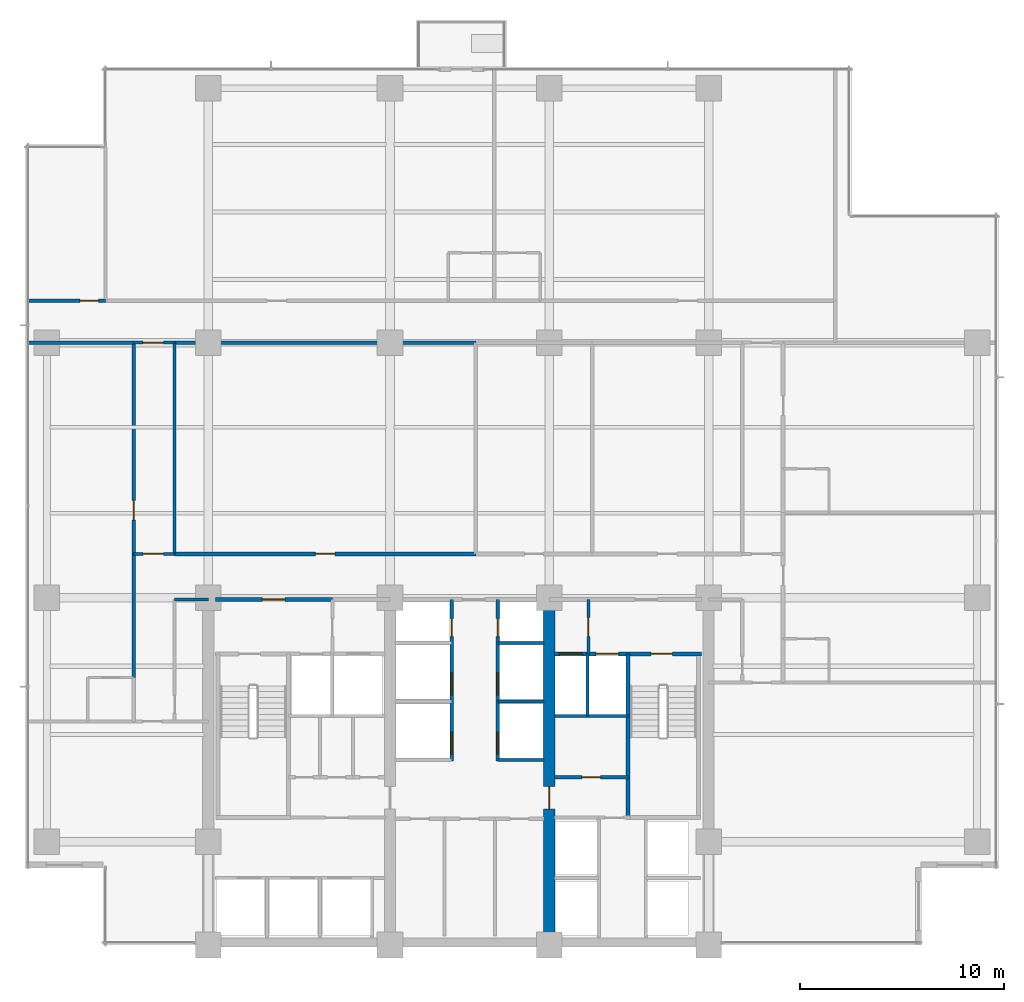
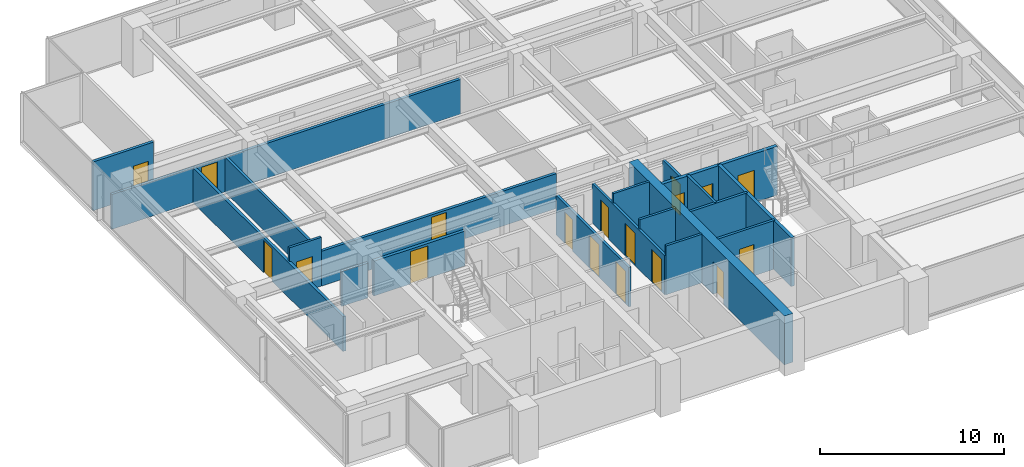
# One storey, part 9 of 16: 22 walls, 18 doors, 18 openings.
"""IFC4 building model written with IfcOpenShell, lengths in metres."""

import ifcopenshell
import ifcopenshell.guid

model = None  # the IFC model being written
_history = None  # IfcOwnerHistory: only IFC2X3 demands one
_inside = {}  # id of a spatial element -> (the spatial element, [elements in it])
_under = {}  # id of a project, library or spatial element -> (it, [spatial elements below it])
_declared = {}  # id of a project -> (the project, [libraries it declares])
_typed = {}  # id of a type object -> (the type object, [elements of that type])
_made_of = {}  # id of a material, layer set ... -> (it, [elements and type objects made of it])


def new_model(schema):
    """Start an empty IFC model of exactly this schema.

    Asked for "IFC4X3", IfcOpenShell would pick the latest addendum, in which some entities
    have other attributes; the version numbers below select the first issue.
    IFC2X3 requires an IfcOwnerHistory on every rooted entity: one is made here for all.
    """
    global model, _history
    if schema == "IFC4X3":
        model = ifcopenshell.file(schema_version=(4, 3, 0, 0))
    else:
        model = ifcopenshell.file(schema=schema)
    _inside.clear()
    _under.clear()
    _declared.clear()
    _typed.clear()
    _made_of.clear()
    _history = None
    if model.schema == "IFC2X3":
        org = make("IfcOrganization", Name="unknown")
        user = make(
            "IfcPersonAndOrganization",
            ThePerson=make("IfcPerson", FamilyName="unknown"),
            TheOrganization=org,
        )
        app = make(
            "IfcApplication",
            ApplicationDeveloper=org,
            Version="unknown",
            ApplicationFullName="unknown",
            ApplicationIdentifier="unknown",
        )
        _history = make(
            "IfcOwnerHistory",
            OwningUser=user,
            OwningApplication=app,
            ChangeAction="ADDED",
            CreationDate=0,
        )
    return model


def make(cls, **values):
    """One entity of the class cls with the attributes given. An attribute that is None is left unset."""
    return model.create_entity(
        cls, **{name: value for name, value in values.items() if value is not None}
    )


def rooted(cls, **values):
    """An entity with a GlobalId (a new one), such as an element, a storey or a relation."""
    return make(cls, GlobalId=ifcopenshell.guid.new(), OwnerHistory=_history, **values)


def si_unit(unit_type, name, prefix=None):
    """IfcSIUnit, for example si_unit("LENGTHUNIT", "METRE", prefix="MILLI")."""
    return make("IfcSIUnit", UnitType=unit_type, Prefix=prefix, Name=name)


def assignment(units):
    """IfcUnitAssignment: the units of a project."""
    return None if units is None else make("IfcUnitAssignment", Units=units)


def point(xyz):
    """IfcCartesianPoint."""
    return None if xyz is None else make("IfcCartesianPoint", Coordinates=xyz)


def direction(xyz):
    """IfcDirection."""
    return None if xyz is None else make("IfcDirection", DirectionRatios=xyz)


def frame(location, z_axis=None, x_axis=None):
    """IfcAxis2Placement3D, a coordinate frame: its origin and axes. An axis left out is left unset."""
    return make(
        "IfcAxis2Placement3D",
        Location=point(location),
        Axis=direction(z_axis),
        RefDirection=direction(x_axis),
    )


def frame_2d(location, x_axis=None):
    """IfcAxis2Placement2D, a coordinate frame in the plane: its origin and x axis."""
    return make(
        "IfcAxis2Placement2D", Location=point(location), RefDirection=direction(x_axis)
    )


def origin():
    """The frame at (0, 0, 0) with its axes left unset."""
    return frame((0.0, 0.0, 0.0))


def place(relative_to, where):
    """IfcLocalPlacement: puts the frame where relative to a parent placement (None: the world)."""
    return make(
        "IfcLocalPlacement", PlacementRelTo=relative_to, RelativePlacement=where
    )


def context(
    kind, dimensions, precision=None, world=None, true_north=None, identifier=None
):
    """IfcGeometricRepresentationContext, for example the 3D "Model" context."""
    return make(
        "IfcGeometricRepresentationContext",
        ContextIdentifier=identifier,
        ContextType=kind,
        CoordinateSpaceDimension=dimensions,
        Precision=precision,
        WorldCoordinateSystem=world,
        TrueNorth=true_north,
    )


def subcontext(parent, identifier, kind, view, scale=None):
    """IfcGeometricRepresentationSubContext, for example "Body" below "Model"."""
    return make(
        "IfcGeometricRepresentationSubContext",
        ContextIdentifier=identifier,
        ContextType=kind,
        ParentContext=parent,
        TargetScale=scale,
        TargetView=view,
    )


def project(units=None, contexts=None):
    """IfcProject with its units and contexts."""
    return rooted(
        "IfcProject",
        Name="project",
        RepresentationContexts=contexts,
        UnitsInContext=assignment(units),
    )


def spatial(cls, under=None, at=None, **own):
    """A site, building, storey or space (cls), placed at a placement, below another one or the project."""
    s = rooted(cls, ObjectPlacement=at, **own)
    if under is not None:
        _under.setdefault(under.id(), (under, []))[1].append(s)
    return s


def profile(cls, at=None, kind="AREA", **sizes):
    """A parametric profile (cls). Its sizes go by their IFC names, for example OverallWidth=200.0."""
    return make(cls, ProfileType=kind, Position=at, **sizes)


def rectangle(**sizes):
    """IfcRectangleProfileDef."""
    return profile("IfcRectangleProfileDef", **sizes)


def extrude(swept, where, along, depth):
    """IfcExtrudedAreaSolid: the profile swept, set in the frame where, extruded along a direction by depth."""
    return make(
        "IfcExtrudedAreaSolid",
        SweptArea=swept,
        Position=where,
        ExtrudedDirection=direction(along),
        Depth=depth,
    )


def shape(context_of_items, identifier, shape_type, items):
    """IfcShapeRepresentation: the items that make up one representation, for example the "Body"."""
    return make(
        "IfcShapeRepresentation",
        ContextOfItems=context_of_items,
        RepresentationIdentifier=identifier,
        RepresentationType=shape_type,
        Items=items,
    )


def material(Name=None, Category=None):
    """IfcMaterial."""
    return make("IfcMaterial", Name=Name, Category=Category)


def layer(
    of_material, thickness, ventilated=None, Name=None, Category=None, Priority=None
):
    """IfcMaterialLayer: one layer of a wall or slab, of a material (None: an air gap)."""
    return make(
        "IfcMaterialLayer",
        Material=of_material,
        LayerThickness=thickness,
        IsVentilated=ventilated,
        Name=Name,
        Category=Category,
        Priority=Priority,
    )


def layer_set(layers, Name=None):
    """IfcMaterialLayerSet."""
    return make("IfcMaterialLayerSet", MaterialLayers=layers, LayerSetName=Name)


def made_of(thing, what):
    """Note that an element or type object is made of a material, layer set ...; save() writes the relation."""
    if what is not None:
        _made_of.setdefault(what.id(), (what, []))[1].append(thing)
    return thing


def type_object(cls, material=None, **own):
    """A type object (cls), such as IfcWallType, which elements share."""
    return made_of(rooted(cls, **own), material)


def element(
    cls,
    number,
    at=None,
    inside=None,
    cuts=None,
    type_object=None,
    material=None,
    context=None,
    identifier="Body",
    shape_type=None,
    held_by="IfcProductDefinitionShape",
    body=None,
    shapes=None,
    **own,
):
    """One element of the class cls, such as IfcWall. Its Tag is "e" and its number.

    at: its placement. inside: the storey or other place that contains it. cuts: it is an
    opening in that element (IfcRelVoidsElement). A single representation is given by context,
    identifier, shape_type and body (its items); several are given by shapes. held_by: the class
    of the entity that holds the representations. save() writes the other relations.
    """
    e = rooted(cls, Tag="e%d" % number, ObjectPlacement=at, **own)
    if body is not None:
        shapes = [shape(context, identifier, shape_type, body)]
    if shapes is not None:
        e.Representation = make(held_by, Representations=shapes)
    if inside is not None:
        _inside.setdefault(inside.id(), (inside, []))[1].append(e)
    if cuts is not None:
        rooted(
            "IfcRelVoidsElement", RelatingBuildingElement=cuts, RelatedOpeningElement=e
        )
    if type_object is not None:
        _typed.setdefault(type_object.id(), (type_object, []))[1].append(e)
    return made_of(e, material)


def fill(opening, filler):
    """IfcRelFillsElement: the door or window that sits in an opening."""
    return rooted(
        "IfcRelFillsElement",
        RelatingOpeningElement=opening,
        RelatedBuildingElement=filler,
    )


def aggregate(whole, parts):
    """IfcRelAggregates: a whole, such as a stair, and the parts it consists of."""
    return rooted("IfcRelAggregates", RelatingObject=whole, RelatedObjects=parts)


def save(model, path):
    """Write the relations noted so far, then the file.

    IfcRelAggregates (storeys below a building ...), IfcRelContainedInSpatialStructure (elements
    in a storey), IfcRelDefinesByType, IfcRelAssociatesMaterial and IfcRelDeclares: one each for
    every whole, place, type object, material and project.
    """
    for whole, parts in _under.values():
        aggregate(whole, parts)
    for where, things in _inside.values():
        rooted(
            "IfcRelContainedInSpatialStructure",
            RelatedElements=things,
            RelatingStructure=where,
        )
    for kind, things in _typed.values():
        rooted("IfcRelDefinesByType", RelatedObjects=things, RelatingType=kind)
    for what, things in _made_of.values():
        rooted("IfcRelAssociatesMaterial", RelatedObjects=things, RelatingMaterial=what)
    for by, libraries in _declared.values():
        rooted("IfcRelDeclares", RelatingContext=by, RelatedDefinitions=libraries)
    model.write(path)


model = new_model("IFC4")

# Units and contexts
model_context = context("Model", 3, precision=1e-05, world=origin(), true_north=direction((0.0, 1.0)))
body_context = subcontext(model_context, "Body", "Model", "MODEL_VIEW")
ifc_project = project(units=[si_unit("LENGTHUNIT", "METRE"), si_unit("AREAUNIT", "SQUARE_METRE"), si_unit("VOLUMEUNIT", "CUBIC_METRE"), si_unit("PLANEANGLEUNIT", "RADIAN"), si_unit("MASSUNIT", "GRAM", prefix="KILO")], contexts=[model_context])

# Site, building, storey
site_placement = place(None, origin())
site = spatial("IfcSite", under=ifc_project, at=site_placement, CompositionType="ELEMENT")
building_placement = place(site_placement, origin())
building = spatial("IfcBuilding", under=site, at=building_placement, Name="Qalmaran Belvedere Hotel", CompositionType="ELEMENT")
storey_placement = place(building_placement, frame((0.0, 0.0, 123.199951171875)))
storey = spatial("IfcBuildingStorey", under=building, at=storey_placement, Name="L31", CompositionType="ELEMENT", Elevation=123.199951171875)

# Wall, opening, door
ifc_material_1 = material(Name="Concrete C60/75", Category="concrete")
ifc_layer_1 = layer(ifc_material_1, 0.550048828125, Name="Concrete C60/75")
ifc_layer_set_1 = layer_set([ifc_layer_1], Name="Concrete C60/75")
wall_type_1 = type_object("IfcWallType", Name="WL-CORE-550-C60", PredefinedType="SHEAR", material=ifc_layer_set_1)
wall_1_placement = place(storey_placement, frame((37.0, 3.5, 0.0), z_axis=(0.0, 0.0, 1.0), x_axis=(0.0, 1.0, 0.0)))
wall_1 = element("IfcWall", 1, at=wall_1_placement, inside=storey, type_object=wall_type_1, Name="L31 Core East Spine Shear Wall", PredefinedType="SHEAR", context=body_context, shape_type="SweptSolid", body=[
    extrude(rectangle(XDim=16.89990234375, YDim=0.550048828125, at=frame_2d((8.449951171875, 0.0))), origin(), (0.0, 0.0, 1.0), 3.239990234375),
])
opening_1_placement = place(wall_1_placement, frame((6.64990234375, 0.0, 0.0)))
opening_1 = element("IfcOpeningElement", 2, at=opening_1_placement, cuts=wall_1, Name="Opening FD90", PredefinedType="OPENING", context=body_context, shape_type="SweptSolid", body=[
    extrude(rectangle(XDim=1.10009765625, YDim=2.14990234375, at=frame_2d((0.550048828125, 1.074951171875))), frame((0.0, 0.28515625, 0.0), z_axis=(0.0, -1.0, 0.0), x_axis=(1.0, 0.0, 0.0)), (0.0, 0.0, 1.0), 0.570068359375),
])
ifc_material_2 = material(Name="Steel S355JR", Category="steel")
door_type_1 = type_object("IfcDoorType", Name="DR-FD90-1100X2150", OperationType="NOTDEFINED", PredefinedType="DOOR", material=ifc_material_2)
door_1_placement = place(opening_1_placement, origin())
door_1 = element("IfcDoor", 3, at=door_1_placement, inside=storey, type_object=door_type_1, Name="L31 Core East Cross-Lobby Door", OperationType="SINGLE_SWING_RIGHT", OverallHeight=2.14990234375, OverallWidth=1.10009765625, PredefinedType="DOOR", context=body_context, shape_type="SweptSolid", body=[
    extrude(rectangle(XDim=1.10009765625, YDim=2.14990234375, at=frame_2d((0.550048828125, 1.074951171875))), frame((0.0, 0.02490234375, 0.0), z_axis=(0.0, -1.0, 0.0), x_axis=(1.0, 0.0, 0.0)), (0.0, 0.0, 1.0), 0.050048828125),
])
fill(opening_1, door_1)

# Walls
ifc_material_3 = material(Name="Gypsum Stud Partition")
ifc_layer_2 = layer(ifc_material_3, 0.14990234375, Name="Gypsum Stud Partition")
ifc_layer_set_2 = layer_set([ifc_layer_2], Name="Gypsum Stud Partition")
wall_type_2 = type_object("IfcWallType", Name="WL-INT-150-EI120", PredefinedType="PARTITIONING", material=ifc_layer_set_2)
wall_2_placement = place(storey_placement, frame((38.8798828125, 14.719970703125, 0.0), z_axis=(0.0, 0.0, 1.0), x_axis=(0.0, 1.0, 0.0)))
element("IfcWall", 4, at=wall_2_placement, inside=storey, type_object=wall_type_2, Name="L31 Partition WL-FF2M-L31", PredefinedType="PARTITIONING", context=body_context, shape_type="SweptSolid", body=[
    extrude(rectangle(XDim=3.0400390625, YDim=0.14990234375, at=frame_2d((1.52001953125, 0.0))), origin(), (0.0, 0.0, 1.0), 3.239990234375),
])
for number, where, z_axis, x_axis, name in (
    (5, (34.47998046875, 12.550048828125, 0.0), (0.0, 0.0, 1.0), (1.0, 0.0, 0.0), "L31 Partition WL-PME-L31-125"),
    (6, (34.47998046875, 15.419921875, 0.0), (0.0, 0.0, 1.0), (1.0, 0.0, 0.0), "L31 Partition WL-PME-L31-154"),
    (7, (34.47998046875, 18.280029296875, 0.0), (0.0, 0.0, 1.0), (1.0, 0.0, 0.0), "L31 Partition WL-PME-L31-182"),
):
    element("IfcWall", number, at=place(storey_placement, frame(where, z_axis=z_axis, x_axis=x_axis)), inside=storey, type_object=wall_type_2, Name=name, PredefinedType="PARTITIONING", context=body_context, shape_type="SweptSolid", body=[
        extrude(rectangle(XDim=2.27001953125, YDim=0.14990234375, at=frame_2d((1.135009765625, 0.0))), origin(), (0.0, 0.0, 1.0), 3.239990234375),
    ])

# Wall, opening, door
ifc_layer_3 = layer(ifc_material_3, 0.14990234375, Name="Gypsum Stud Partition")
ifc_layer_set_3 = layer_set([ifc_layer_3], Name="Gypsum Stud Partition")
wall_type_3 = type_object("IfcWallType", Name="WL-INT-150-EI60", PredefinedType="PARTITIONING", material=ifc_layer_set_3)
wall_3_placement = place(storey_placement, frame((16.64990234375, 22.64990234375, 0.0), z_axis=(0.0, 0.0, 1.0), x_axis=(1.0, 0.0, 0.0)))
wall_3 = element("IfcWall", 8, at=wall_3_placement, inside=storey, type_object=wall_type_3, Name="L31 Partition WL-L31-XCW1", PredefinedType="PARTITIONING", context=body_context, shape_type="SweptSolid", body=[
    extrude(rectangle(XDim=2.0, YDim=0.14990234375, at=frame_2d((1.0, 0.0))), origin(), (0.0, 0.0, 1.0), 3.239990234375),
])
opening_2_placement = place(wall_3_placement, frame((0.449951171875, 0.0, 0.0)))
opening_2 = element("IfcOpeningElement", 9, at=opening_2_placement, cuts=wall_3, Name="Opening FD90B", PredefinedType="OPENING", context=body_context, shape_type="SweptSolid", body=[
    extrude(rectangle(XDim=1.0, YDim=2.14990234375, at=frame_2d((0.5, 1.074951171875))), frame((0.0, 0.0849609375, 0.0), z_axis=(0.0, -1.0, 0.0), x_axis=(1.0, 0.0, 0.0)), (0.0, 0.0, 1.0), 0.169921875),
])
door_type_2 = type_object("IfcDoorType", Name="DR-FD90B-1000X2150", OperationType="NOTDEFINED", PredefinedType="DOOR", material=ifc_material_2)
door_2_placement = place(opening_2_placement, origin())
door_2 = element("IfcDoor", 10, at=door_2_placement, inside=storey, type_object=door_type_2, Name="L31 West Corridor Smoke Door S", OperationType="SINGLE_SWING_LEFT", OverallHeight=2.14990234375, OverallWidth=1.0, PredefinedType="DOOR", context=body_context, shape_type="SweptSolid", body=[
    extrude(rectangle(XDim=1.0, YDim=2.14990234375, at=frame_2d((0.5, 1.074951171875))), frame((0.0, 0.02490234375, 0.0), z_axis=(0.0, -1.0, 0.0), x_axis=(1.0, 0.0, 0.0)), (0.0, 0.0, 1.0), 0.050048828125),
])
fill(opening_2, door_2)

wall_4_placement = place(storey_placement, frame((16.64990234375, 33.0, 0.0), z_axis=(0.0, 0.0, 1.0), x_axis=(1.0, 0.0, 0.0)))
wall_4 = element("IfcWall", 11, at=wall_4_placement, inside=storey, type_object=wall_type_3, Name="L31 Partition WL-L31-XCW2", PredefinedType="PARTITIONING", context=body_context, shape_type="SweptSolid", body=[
    extrude(rectangle(XDim=2.0, YDim=0.14990234375, at=frame_2d((1.0, 0.0))), origin(), (0.0, 0.0, 1.0), 2.31298828125),
])
opening_3_placement = place(wall_4_placement, frame((0.449951171875, 0.0, 0.0)))
opening_3 = element("IfcOpeningElement", 12, at=opening_3_placement, cuts=wall_4, Name="Opening FD90B", PredefinedType="OPENING", context=body_context, shape_type="SweptSolid", body=[
    extrude(rectangle(XDim=1.0, YDim=2.14990234375, at=frame_2d((0.5, 1.074951171875))), frame((0.0, 0.0849609375, 0.0), z_axis=(0.0, -1.0, 0.0), x_axis=(1.0, 0.0, 0.0)), (0.0, 0.0, 1.0), 0.169921875),
])
door_3_placement = place(opening_3_placement, origin())
door_3 = element("IfcDoor", 13, at=door_3_placement, inside=storey, type_object=door_type_2, Name="L31 West Corridor Smoke Door N", OperationType="SINGLE_SWING_RIGHT", OverallHeight=2.14990234375, OverallWidth=1.0, PredefinedType="DOOR", context=body_context, shape_type="SweptSolid", body=[
    extrude(rectangle(XDim=1.0, YDim=2.14990234375, at=frame_2d((0.5, 1.074951171875))), frame((0.0, 0.02490234375, 0.0), z_axis=(0.0, -1.0, 0.0), x_axis=(1.0, 0.0, 0.0)), (0.0, 0.0, 1.0), 0.050048828125),
])
fill(opening_3, door_3)

ifc_layer_4 = layer(ifc_material_3, 0.159912109375, Name="Gypsum Stud Partition")
ifc_layer_set_4 = layer_set([ifc_layer_4], Name="Gypsum Stud Partition")
wall_type_4 = type_object("IfcWallType", Name="WL-INT-160-EI120", PredefinedType="PARTITIONING", material=ifc_layer_set_4)
wall_5_placement = place(storey_placement, frame((38.919921875, 17.760009765625, 0.0), z_axis=(0.0, 0.0, 1.0), x_axis=(0.0, 1.0, 0.0)))
wall_5 = element("IfcWall", 14, at=wall_5_placement, inside=storey, type_object=wall_type_4, Name="L31 Partition WL-FFSV2-L31", PredefinedType="PARTITIONING", context=body_context, shape_type="SweptSolid", body=[
    extrude(rectangle(XDim=2.659912109375, YDim=0.159912109375, at=frame_2d((1.330078125, 0.0))), origin(), (0.0, 0.0, 1.0), 2.614013671875),
])
opening_4_placement = place(wall_5_placement, frame((1.77001953125, 0.0, 0.0), z_axis=(0.0, 0.0, 1.0), x_axis=(-1.0, 0.0, 0.0)))
opening_4 = element("IfcOpeningElement", 15, at=opening_4_placement, cuts=wall_5, Name="Opening FD60S1", PredefinedType="OPENING", context=body_context, shape_type="SweptSolid", body=[
    extrude(rectangle(XDim=0.919921875, YDim=2.080078125, at=frame_2d((0.4599609375, 1.0400390625))), frame((0.0, 0.08984375, 0.0), z_axis=(0.0, -1.0, 0.0), x_axis=(1.0, 0.0, 0.0)), (0.0, 0.0, 1.0), 0.179931640625),
])
ifc_material_4 = material(Name="Engineered Oak Veneer")
door_type_3 = type_object("IfcDoorType", Name="DR-FD60S-920X2080", OperationType="NOTDEFINED", PredefinedType="DOOR", material=ifc_material_4)
door_4_placement = place(opening_4_placement, origin())
door_4 = element("IfcDoor", 16, at=door_4_placement, inside=storey, type_object=door_type_3, Name="L31 Service Lobby East Door", OperationType="SINGLE_SWING_RIGHT", OverallHeight=2.080078125, OverallWidth=0.919921875, PredefinedType="DOOR", context=body_context, shape_type="SweptSolid", body=[
    extrude(rectangle(XDim=0.919921875, YDim=2.080078125, at=frame_2d((0.4599609375, 1.0400390625))), frame((0.0, 0.02490234375, 0.0), z_axis=(0.0, -1.0, 0.0), x_axis=(1.0, 0.0, 0.0)), (0.0, 0.0, 1.0), 0.050048828125),
])
fill(opening_4, door_4)

# Wall
wall_6_placement = place(storey_placement, frame((37.25, 14.719970703125, 0.0), z_axis=(0.0, 0.0, 1.0), x_axis=(1.0, 0.0, 0.0)))
element("IfcWall", 17, at=wall_6_placement, inside=storey, type_object=wall_type_4, Name="L31 Partition WL-FF2S-L31", PredefinedType="PARTITIONING", context=body_context, shape_type="SweptSolid", body=[
    extrude(rectangle(XDim=3.610107421875, YDim=0.159912109375, at=frame_2d((1.80517578125, 0.0))), origin(), (0.0, 0.0, 1.0), 3.239990234375),
])

# Wall, openings, doors
wall_7_placement = place(storey_placement, frame((32.219970703125, 12.5, 0.0), z_axis=(0.0, 0.0, 1.0), x_axis=(0.0, 1.0, 0.0)))
wall_7 = element("IfcWall", 18, at=wall_7_placement, inside=storey, type_object=wall_type_4, Name="L31 Partition WL-CLBWN-L31", PredefinedType="PARTITIONING", context=body_context, shape_type="SweptSolid", body=[
    extrude(rectangle(XDim=7.919921875, YDim=0.159912109375, at=frame_2d((3.9599609375, 0.0))), origin(), (0.0, 0.0, 1.0), 2.614013671875),
])
opening_5_placement = place(wall_7_placement, frame((1.43017578125, 0.0, 0.0), z_axis=(0.0, 0.0, 1.0), x_axis=(-1.0, 0.0, 0.0)))
opening_5 = element("IfcOpeningElement", 19, at=opening_5_placement, cuts=wall_7, Name="Opening LD-P1", PredefinedType="OPENING", context=body_context, shape_type="SweptSolid", body=[
    extrude(rectangle(XDim=1.080078125, YDim=2.159912109375, at=frame_2d((0.5400390625, 1.080078125))), frame((0.0, 0.08984375, 0.0), z_axis=(0.0, -1.0, 0.0), x_axis=(1.0, 0.0, 0.0)), (0.0, 0.0, 1.0), 0.179931640625),
])
opening_6_placement = place(wall_7_placement, frame((4.330078125, 0.0, 0.0), z_axis=(0.0, 0.0, 1.0), x_axis=(-1.0, 0.0, 0.0)))
opening_6 = element("IfcOpeningElement", 20, at=opening_6_placement, cuts=wall_7, Name="Opening LD-P1", PredefinedType="OPENING", context=body_context, shape_type="SweptSolid", body=[
    extrude(rectangle(XDim=1.080078125, YDim=2.159912109375, at=frame_2d((0.5400390625, 1.080078125))), frame((0.0, 0.08984375, 0.0), z_axis=(0.0, -1.0, 0.0), x_axis=(1.0, 0.0, 0.0)), (0.0, 0.0, 1.0), 0.179931640625),
])
opening_7_placement = place(wall_7_placement, frame((6.10009765625, 0.0, 0.0)))
opening_7 = element("IfcOpeningElement", 21, at=opening_7_placement, cuts=wall_7, Name="Opening FD60B", PredefinedType="OPENING", context=body_context, shape_type="SweptSolid", body=[
    extrude(rectangle(XDim=0.8798828125, YDim=2.080078125, at=frame_2d((0.43994140625, 1.0400390625))), frame((0.0, 0.08984375, 0.0), z_axis=(0.0, -1.0, 0.0), x_axis=(1.0, 0.0, 0.0)), (0.0, 0.0, 1.0), 0.179931640625),
])
door_type_4 = type_object("IfcDoorType", Name="DR-FD60B-880X2080", OperationType="NOTDEFINED", PredefinedType="DOOR", material=ifc_material_2)
door_5_placement = place(opening_7_placement, origin())
door_5 = element("IfcDoor", 22, at=door_5_placement, inside=storey, type_object=door_type_4, Name="L31 West Riser Access Door", OperationType="SINGLE_SWING_LEFT", OverallHeight=2.080078125, OverallWidth=0.8798828125, PredefinedType="DOOR", context=body_context, shape_type="SweptSolid", body=[
    extrude(rectangle(XDim=0.8798828125, YDim=2.080078125, at=frame_2d((0.43994140625, 1.0400390625))), frame((0.0, 0.02490234375, 0.0), z_axis=(0.0, -1.0, 0.0), x_axis=(1.0, 0.0, 0.0)), (0.0, 0.0, 1.0), 0.050048828125),
])
fill(opening_7, door_5)
ifc_material_5 = material(Name="Stainless Steel 1.4401", Category="steel")
door_type_5 = type_object("IfcDoorType", Name="DR-LIFT-P1-1080X2160", OperationType="DOUBLE_DOOR_SLIDING", PredefinedType="DOOR", material=ifc_material_5)
door_6_placement = place(opening_5_placement, origin())
door_6 = element("IfcDoor", 23, at=door_6_placement, inside=storey, type_object=door_type_5, Name="L31 PM1 Lift Landing Door", OperationType="DOUBLE_DOOR_SLIDING", OverallHeight=2.159912109375, OverallWidth=1.080078125, PredefinedType="DOOR", context=body_context, shape_type="SweptSolid", body=[
    extrude(rectangle(XDim=1.080078125, YDim=2.159912109375, at=frame_2d((0.5400390625, 1.080078125))), frame((0.0, 0.02490234375, 0.0), z_axis=(0.0, -1.0, 0.0), x_axis=(1.0, 0.0, 0.0)), (0.0, 0.0, 1.0), 0.050048828125),
])
fill(opening_5, door_6)
door_7_placement = place(opening_6_placement, origin())
door_7 = element("IfcDoor", 24, at=door_7_placement, inside=storey, type_object=door_type_5, Name="L31 PM2 Lift Landing Door", OperationType="DOUBLE_DOOR_SLIDING", OverallHeight=2.159912109375, OverallWidth=1.080078125, PredefinedType="DOOR", context=body_context, shape_type="SweptSolid", body=[
    extrude(rectangle(XDim=1.080078125, YDim=2.159912109375, at=frame_2d((0.5400390625, 1.080078125))), frame((0.0, 0.02490234375, 0.0), z_axis=(0.0, -1.0, 0.0), x_axis=(1.0, 0.0, 0.0)), (0.0, 0.0, 1.0), 0.050048828125),
])
fill(opening_6, door_7)

wall_8_placement = place(storey_placement, frame((34.47998046875, 12.5, 0.0), z_axis=(0.0, 0.0, 1.0), x_axis=(0.0, 1.0, 0.0)))
wall_8 = element("IfcWall", 25, at=wall_8_placement, inside=storey, type_object=wall_type_4, Name="L31 Partition WL-CLBEN-L31", PredefinedType="PARTITIONING", context=body_context, shape_type="SweptSolid", body=[
    extrude(rectangle(XDim=7.919921875, YDim=0.159912109375, at=frame_2d((3.9599609375, 0.0))), origin(), (0.0, 0.0, 1.0), 2.614013671875),
])
opening_8_placement = place(wall_8_placement, frame((0.35009765625, 0.0, 0.0)))
opening_8 = element("IfcOpeningElement", 26, at=opening_8_placement, cuts=wall_8, Name="Opening LD-P1", PredefinedType="OPENING", context=body_context, shape_type="SweptSolid", body=[
    extrude(rectangle(XDim=1.080078125, YDim=2.159912109375, at=frame_2d((0.5400390625, 1.080078125))), frame((0.0, 0.08984375, 0.0), z_axis=(0.0, -1.0, 0.0), x_axis=(1.0, 0.0, 0.0)), (0.0, 0.0, 1.0), 0.179931640625),
])
opening_9_placement = place(wall_8_placement, frame((3.25, 0.0, 0.0)))
opening_9 = element("IfcOpeningElement", 27, at=opening_9_placement, cuts=wall_8, Name="Opening LD-P1", PredefinedType="OPENING", context=body_context, shape_type="SweptSolid", body=[
    extrude(rectangle(XDim=1.080078125, YDim=2.159912109375, at=frame_2d((0.5400390625, 1.080078125))), frame((0.0, 0.08984375, 0.0), z_axis=(0.0, -1.0, 0.0), x_axis=(1.0, 0.0, 0.0)), (0.0, 0.0, 1.0), 0.179931640625),
])
opening_10_placement = place(wall_8_placement, frame((6.97998046875, 0.0, 0.0), z_axis=(0.0, 0.0, 1.0), x_axis=(-1.0, 0.0, 0.0)))
opening_10 = element("IfcOpeningElement", 28, at=opening_10_placement, cuts=wall_8, Name="Opening FD60B", PredefinedType="OPENING", context=body_context, shape_type="SweptSolid", body=[
    extrude(rectangle(XDim=0.8798828125, YDim=2.080078125, at=frame_2d((0.43994140625, 1.0400390625))), frame((0.0, 0.08984375, 0.0), z_axis=(0.0, -1.0, 0.0), x_axis=(1.0, 0.0, 0.0)), (0.0, 0.0, 1.0), 0.179931640625),
])
door_8_placement = place(opening_10_placement, origin())
door_8 = element("IfcDoor", 29, at=door_8_placement, inside=storey, type_object=door_type_4, Name="L31 East Riser Access Door", OperationType="SINGLE_SWING_RIGHT", OverallHeight=2.080078125, OverallWidth=0.8798828125, PredefinedType="DOOR", context=body_context, shape_type="SweptSolid", body=[
    extrude(rectangle(XDim=0.8798828125, YDim=2.080078125, at=frame_2d((0.43994140625, 1.0400390625))), frame((0.0, 0.02490234375, 0.0), z_axis=(0.0, -1.0, 0.0), x_axis=(1.0, 0.0, 0.0)), (0.0, 0.0, 1.0), 0.050048828125),
])
fill(opening_10, door_8)
door_9_placement = place(opening_8_placement, origin())
door_9 = element("IfcDoor", 30, at=door_9_placement, inside=storey, type_object=door_type_5, Name="L31 PM3 Lift Landing Door", OperationType="DOUBLE_DOOR_SLIDING", OverallHeight=2.159912109375, OverallWidth=1.080078125, PredefinedType="DOOR", context=body_context, shape_type="SweptSolid", body=[
    extrude(rectangle(XDim=1.080078125, YDim=2.159912109375, at=frame_2d((0.5400390625, 1.080078125))), frame((0.0, 0.02490234375, 0.0), z_axis=(0.0, -1.0, 0.0), x_axis=(1.0, 0.0, 0.0)), (0.0, 0.0, 1.0), 0.050048828125),
])
fill(opening_8, door_9)
door_10_placement = place(opening_9_placement, origin())
door_10 = element("IfcDoor", 31, at=door_10_placement, inside=storey, type_object=door_type_5, Name="L31 PM4 Lift Landing Door", OperationType="DOUBLE_DOOR_SLIDING", OverallHeight=2.159912109375, OverallWidth=1.080078125, PredefinedType="DOOR", context=body_context, shape_type="SweptSolid", body=[
    extrude(rectangle(XDim=1.080078125, YDim=2.159912109375, at=frame_2d((0.5400390625, 1.080078125))), frame((0.0, 0.02490234375, 0.0), z_axis=(0.0, -1.0, 0.0), x_axis=(1.0, 0.0, 0.0)), (0.0, 0.0, 1.0), 0.050048828125),
])
fill(opening_9, door_10)

# Wall, opening, door
ifc_layer_5 = layer(ifc_material_3, 0.159912109375, Name="Gypsum Stud Partition")
ifc_layer_set_5 = layer_set([ifc_layer_5], Name="Gypsum Stud Partition")
wall_type_5 = type_object("IfcWallType", Name="WL-INT-160-EI60", PredefinedType="PARTITIONING", material=ifc_layer_set_5)
wall_9_placement = place(storey_placement, frame((37.25, 11.719970703125, 0.0), z_axis=(0.0, 0.0, 1.0), x_axis=(1.0, 0.0, 0.0)))
wall_9 = element("IfcWall", 32, at=wall_9_placement, inside=storey, type_object=wall_type_5, Name="L31 Partition WL-L31-KEE1", PredefinedType="PARTITIONING", context=body_context, shape_type="SweptSolid", body=[
    extrude(rectangle(XDim=3.610107421875, YDim=0.159912109375, at=frame_2d((1.80517578125, 0.0))), origin(), (0.0, 0.0, 1.0), 3.239990234375),
])
opening_11_placement = place(wall_9_placement, frame((1.344970703125, 0.0, 0.0)))
opening_11 = element("IfcOpeningElement", 33, at=opening_11_placement, cuts=wall_9, Name="Opening FD60S1", PredefinedType="OPENING", context=body_context, shape_type="SweptSolid", body=[
    extrude(rectangle(XDim=0.919921875, YDim=2.080078125, at=frame_2d((0.4599609375, 1.0400390625))), frame((0.0, 0.08984375, 0.0), z_axis=(0.0, -1.0, 0.0), x_axis=(1.0, 0.0, 0.0)), (0.0, 0.0, 1.0), 0.179931640625),
])
door_11_placement = place(opening_11_placement, origin())
door_11 = element("IfcDoor", 34, at=door_11_placement, inside=storey, type_object=door_type_3, Name="L31 Guest Ice and Beverage Pantry Door", OperationType="SINGLE_SWING_LEFT", OverallHeight=2.080078125, OverallWidth=0.919921875, PredefinedType="DOOR", context=body_context, shape_type="SweptSolid", body=[
    extrude(rectangle(XDim=0.919921875, YDim=2.080078125, at=frame_2d((0.4599609375, 1.0400390625))), frame((0.0, 0.02490234375, 0.0), z_axis=(0.0, -1.0, 0.0), x_axis=(1.0, 0.0, 0.0)), (0.0, 0.0, 1.0), 0.050048828125),
])
fill(opening_11, door_11)

# Walls
wall_10_placement = place(storey_placement, frame((18.64990234375, 20.419921875, 0.0), z_axis=(0.0, 0.0, 1.0), x_axis=(1.0, 0.0, 0.0)))
element("IfcWall", 35, at=wall_10_placement, inside=storey, type_object=wall_type_5, Name="L31 Partition WL-L31-WCLN", PredefinedType="PARTITIONING", context=body_context, shape_type="SweptSolid", body=[
    extrude(rectangle(XDim=1.650146484375, YDim=0.159912109375, at=frame_2d((0.8251953125, 0.0))), origin(), (0.0, 0.0, 1.0), 2.31298828125),
])
wall_11_placement = place(storey_placement, frame((18.64990234375, 22.64990234375, 0.0), z_axis=(0.0, 0.0, 1.0), x_axis=(0.0, 1.0, 0.0)))
element("IfcWall", 36, at=wall_11_placement, inside=storey, type_object=wall_type_5, Name="L31 Partition WL-L31-MIDVL", PredefinedType="PARTITIONING", context=body_context, shape_type="SweptSolid", body=[
    extrude(rectangle(XDim=10.35009765625, YDim=0.159912109375, at=frame_2d((5.175048828125, 0.0))), origin(), (0.0, 0.0, 1.0), 2.31298828125),
])
wall_12_placement = place(storey_placement, frame((11.469970703125, 33.0, 0.0), z_axis=(0.0, 0.0, 1.0), x_axis=(1.0, 0.0, 0.0)))
element("IfcWall", 37, at=wall_12_placement, inside=storey, type_object=wall_type_5, Name="L31 Partition WL-L31-WU00", PredefinedType="PARTITIONING", context=body_context, shape_type="SweptSolid", body=[
    extrude(rectangle(XDim=5.179931640625, YDim=0.159912109375, at=frame_2d((2.58984375, 0.0))), origin(), (0.0, 0.0, 1.0), 2.31298828125),
])

# Wall, opening, door
ifc_layer_6 = layer(ifc_material_3, 0.179931640625, Name="Gypsum Stud Partition")
ifc_layer_set_6 = layer_set([ifc_layer_6], Name="Gypsum Stud Partition")
wall_type_6 = type_object("IfcWallType", Name="WL-INT-180-EI60", PredefinedType="PARTITIONING", material=ifc_layer_set_6)
wall_13_placement = place(storey_placement, frame((18.64990234375, 22.64990234375, 0.0), z_axis=(0.0, 0.0, 1.0), x_axis=(1.0, 0.0, 0.0)))
wall_13 = element("IfcWall", 38, at=wall_13_placement, inside=storey, type_object=wall_type_6, Name="L31 Partition WL-L31-MIDD1", PredefinedType="PARTITIONING", context=body_context, shape_type="SweptSolid", body=[
    extrude(rectangle(XDim=14.75, YDim=0.179931640625, at=frame_2d((7.375, 0.0))), origin(), (0.0, 0.0, 1.0), 2.31298828125),
])
opening_12_placement = place(wall_13_placement, frame((6.89990234375, 0.0, 0.0)))
opening_12 = element("IfcOpeningElement", 39, at=opening_12_placement, cuts=wall_13, Name="Opening FD60", PredefinedType="OPENING", context=body_context, shape_type="SweptSolid", body=[
    extrude(rectangle(XDim=0.949951171875, YDim=2.14990234375, at=frame_2d((0.47509765625, 1.074951171875))), frame((0.0, 0.10009765625, 0.0), z_axis=(0.0, -1.0, 0.0), x_axis=(1.0, 0.0, 0.0)), (0.0, 0.0, 1.0), 0.199951171875),
])
door_type_6 = type_object("IfcDoorType", Name="DR-FD60-950X2150", OperationType="NOTDEFINED", PredefinedType="DOOR", material=ifc_material_4)
door_12_placement = place(opening_12_placement, origin())
door_12 = element("IfcDoor", 40, at=door_12_placement, inside=storey, type_object=door_type_6, Name="L31 Housekeeping and Linen Room Door", OperationType="SINGLE_SWING_LEFT", OverallHeight=2.14990234375, OverallWidth=0.949951171875, PredefinedType="DOOR", context=body_context, shape_type="SweptSolid", body=[
    extrude(rectangle(XDim=0.949951171875, YDim=2.14990234375, at=frame_2d((0.47509765625, 1.074951171875))), frame((0.0, 0.02490234375, 0.0), z_axis=(0.0, -1.0, 0.0), x_axis=(1.0, 0.0, 0.0)), (0.0, 0.0, 1.0), 0.050048828125),
])
fill(opening_12, door_12)

# Wall
wall_14_placement = place(storey_placement, frame((18.64990234375, 33.0, 0.0), z_axis=(0.0, 0.0, 1.0), x_axis=(1.0, 0.0, 0.0)))
element("IfcWall", 41, at=wall_14_placement, inside=storey, type_object=wall_type_6, Name="L31 Partition WL-L31-MIDO1", PredefinedType="PARTITIONING", context=body_context, shape_type="SweptSolid", body=[
    extrude(rectangle(XDim=14.75, YDim=0.179931640625, at=frame_2d((7.375, 0.0))), origin(), (0.0, 0.0, 1.0), 2.31298828125),
])

# Wall, opening, door
wall_15_placement = place(storey_placement, frame((16.64990234375, 16.60009765625, 0.0), z_axis=(0.0, 0.0, 1.0), x_axis=(0.0, 1.0, 0.0)))
wall_15 = element("IfcWall", 42, at=wall_15_placement, inside=storey, type_object=wall_type_6, Name="L31 Partition WL-L31-WEC00", PredefinedType="PARTITIONING", context=body_context, shape_type="SweptSolid", body=[
    extrude(rectangle(XDim=16.39990234375, YDim=0.179931640625, at=frame_2d((8.199951171875, 0.0))), origin(), (0.0, 0.0, 1.0), 2.31298828125),
])
opening_13_placement = place(wall_15_placement, frame((7.72509765625, 0.0, 0.0)))
opening_13 = element("IfcOpeningElement", 43, at=opening_13_placement, cuts=wall_15, Name="Opening FD60", PredefinedType="OPENING", context=body_context, shape_type="SweptSolid", body=[
    extrude(rectangle(XDim=0.949951171875, YDim=2.14990234375, at=frame_2d((0.47509765625, 1.074951171875))), frame((0.0, 0.10009765625, 0.0), z_axis=(0.0, -1.0, 0.0), x_axis=(1.0, 0.0, 0.0)), (0.0, 0.0, 1.0), 0.199951171875),
])
door_13_placement = place(opening_13_placement, origin())
door_13 = element("IfcDoor", 44, at=door_13_placement, inside=storey, type_object=door_type_6, Name="L31 W Wing Door 01", OperationType="SINGLE_SWING_LEFT", OverallHeight=2.14990234375, OverallWidth=0.949951171875, PredefinedType="DOOR", context=body_context, shape_type="SweptSolid", body=[
    extrude(rectangle(XDim=0.949951171875, YDim=2.14990234375, at=frame_2d((0.47509765625, 1.074951171875))), frame((0.0, 0.02490234375, 0.0), z_axis=(0.0, -1.0, 0.0), x_axis=(1.0, 0.0, 0.0)), (0.0, 0.0, 1.0), 0.050048828125),
])
fill(opening_13, door_13)

wall_16_placement = place(storey_placement, frame((11.469970703125, 35.050048828125, 0.0), z_axis=(0.0, 0.0, 1.0), x_axis=(1.0, 0.0, 0.0)))
wall_16 = element("IfcWall", 45, at=wall_16_placement, inside=storey, type_object=wall_type_6, Name="L31 Partition WL-L31-NWSD", PredefinedType="PARTITIONING", context=body_context, shape_type="SweptSolid", body=[
    extrude(rectangle(XDim=3.800048828125, YDim=0.179931640625, at=frame_2d((1.89990234375, 0.0))), origin(), (0.0, 0.0, 1.0), 3.239990234375),
])
opening_14_placement = place(wall_16_placement, frame((2.543701171875, 0.0, 0.0)))
opening_14 = element("IfcOpeningElement", 46, at=opening_14_placement, cuts=wall_16, Name="Opening FD60S1", PredefinedType="OPENING", context=body_context, shape_type="SweptSolid", body=[
    extrude(rectangle(XDim=0.919921875, YDim=2.080078125, at=frame_2d((0.4599609375, 1.0400390625))), frame((0.0, 0.10009765625, 0.0), z_axis=(0.0, -1.0, 0.0), x_axis=(1.0, 0.0, 0.0)), (0.0, 0.0, 1.0), 0.199951171875),
])
door_14_placement = place(opening_14_placement, origin())
door_14 = element("IfcDoor", 47, at=door_14_placement, inside=storey, type_object=door_type_3, Name="L31 NW Belvedere Study Door", OperationType="SINGLE_SWING_RIGHT", OverallHeight=2.080078125, OverallWidth=0.919921875, PredefinedType="DOOR", context=body_context, shape_type="SweptSolid", body=[
    extrude(rectangle(XDim=0.919921875, YDim=2.080078125, at=frame_2d((0.4599609375, 1.0400390625))), frame((0.0, 0.02490234375, 0.0), z_axis=(0.0, -1.0, 0.0), x_axis=(1.0, 0.0, 0.0)), (0.0, 0.0, 1.0), 0.050048828125),
])
fill(opening_14, door_14)

ifc_material_6 = material(Name="Concrete C30/37 Blockwork", Category="masonry")
ifc_layer_7 = layer(ifc_material_6, 0.199951171875, Name="Concrete C30/37 Blockwork")
ifc_layer_set_7 = layer_set([ifc_layer_7], Name="Concrete C30/37 Blockwork")
wall_type_7 = type_object("IfcWallType", Name="WL-INT-200-EI120", PredefinedType="PARTITIONING", material=ifc_layer_set_7)
wall_17_placement = place(storey_placement, frame((20.64990234375, 20.419921875, 0.0), z_axis=(0.0, 0.0, 1.0), x_axis=(1.0, 0.0, 0.0)))
wall_17 = element("IfcWall", 48, at=wall_17_placement, inside=storey, type_object=wall_type_7, Name="L31 Partition WL-CN1A-L31", PredefinedType="PARTITIONING", context=body_context, shape_type="SweptSolid", body=[
    extrude(rectangle(XDim=5.72998046875, YDim=0.199951171875, at=frame_2d((2.864990234375, 0.0))), origin(), (0.0, 0.0, 1.0), 2.31298828125),
])
opening_15_placement = place(wall_17_placement, frame((2.300048828125, 0.0, 0.0)))
opening_15 = element("IfcOpeningElement", 49, at=opening_15_placement, cuts=wall_17, Name="Opening FD90", PredefinedType="OPENING", context=body_context, shape_type="SweptSolid", body=[
    extrude(rectangle(XDim=1.10009765625, YDim=2.14990234375, at=frame_2d((0.550048828125, 1.074951171875))), frame((0.0, 0.10986328125, 0.0), z_axis=(0.0, -1.0, 0.0), x_axis=(1.0, 0.0, 0.0)), (0.0, 0.0, 1.0), 0.219970703125),
])
door_15_placement = place(opening_15_placement, origin())
door_15 = element("IfcDoor", 50, at=door_15_placement, inside=storey, type_object=door_type_1, Name="L31 FF1 Lobby Corridor Door", OperationType="SINGLE_SWING_LEFT", OverallHeight=2.14990234375, OverallWidth=1.10009765625, PredefinedType="DOOR", context=body_context, shape_type="SweptSolid", body=[
    extrude(rectangle(XDim=1.10009765625, YDim=2.14990234375, at=frame_2d((0.550048828125, 1.074951171875))), frame((0.0, 0.02490234375, 0.0), z_axis=(0.0, -1.0, 0.0), x_axis=(1.0, 0.0, 0.0)), (0.0, 0.0, 1.0), 0.050048828125),
])
fill(opening_15, door_15)

# Wall
ifc_material_7 = material(Name="Concrete C50/60", Category="concrete")
ifc_layer_8 = layer(ifc_material_7, 0.2099609375, Name="Concrete C50/60")
ifc_layer_set_8 = layer_set([ifc_layer_8], Name="Concrete C50/60")
wall_type_8 = type_object("IfcWallType", Name="WL-STAIR-210-C50", PredefinedType="SHEAR", material=ifc_layer_set_8)
wall_18_placement = place(storey_placement, frame((40.85498046875, 9.7451171875, 0.0), z_axis=(0.0, 0.0, 1.0), x_axis=(0.0, 1.0, 0.0)))
element("IfcWall", 51, at=wall_18_placement, inside=storey, type_object=wall_type_8, Name="L31 Stair ST-2 West Bearing Wall", PredefinedType="SHEAR", context=body_context, shape_type="SweptSolid", body=[
    extrude(rectangle(XDim=8.009765625, YDim=0.2099609375, at=frame_2d((4.0048828125, 0.0))), origin(), (0.0, 0.0, 1.0), 3.239990234375),
])

# Wall, openings, doors
wall_19_placement = place(storey_placement, frame((37.25, 17.7548828125, 0.0), z_axis=(0.0, 0.0, 1.0), x_axis=(1.0, 0.0, 0.0)))
wall_19 = element("IfcWall", 52, at=wall_19_placement, inside=storey, type_object=wall_type_8, Name="L31 East Lobby and Stair ST-2 North Bearing Wall", PredefinedType="SHEAR", context=body_context, shape_type="SweptSolid", body=[
    extrude(rectangle(XDim=7.199951171875, YDim=0.2099609375, at=frame_2d((3.60009765625, 0.0))), origin(), (0.0, 0.0, 1.0), 3.239990234375),
])
opening_16_placement = place(wall_19_placement, frame((0.25, 0.0, 0.0)))
opening_16 = element("IfcOpeningElement", 53, at=opening_16_placement, cuts=wall_19, Name="Opening LD-SV", PredefinedType="OPENING", context=body_context, shape_type="SweptSolid", body=[
    extrude(rectangle(XDim=1.1201171875, YDim=2.199951171875, at=frame_2d((0.56005859375, 1.10009765625))), frame((0.0, 0.114990234375, 0.0), z_axis=(0.0, -1.0, 0.0), x_axis=(1.0, 0.0, 0.0)), (0.0, 0.0, 1.0), 0.22998046875),
])
opening_17_placement = place(wall_19_placement, frame((2.050048828125, 0.0, 0.0)))
opening_17 = element("IfcOpeningElement", 54, at=opening_17_placement, cuts=wall_19, Name="Opening LD-FF", PredefinedType="OPENING", context=body_context, shape_type="SweptSolid", body=[
    extrude(rectangle(XDim=1.10009765625, YDim=2.179931640625, at=frame_2d((0.550048828125, 1.08984375))), frame((0.0, 0.114990234375, 0.0), z_axis=(0.0, -1.0, 0.0), x_axis=(1.0, 0.0, 0.0)), (0.0, 0.0, 1.0), 0.22998046875),
])
opening_18_placement = place(wall_19_placement, frame((5.780029296875, 0.0, 0.0), z_axis=(0.0, 0.0, 1.0), x_axis=(-1.0, 0.0, 0.0)))
opening_18 = element("IfcOpeningElement", 55, at=opening_18_placement, cuts=wall_19, Name="Opening FD90S2", PredefinedType="OPENING", context=body_context, shape_type="SweptSolid", body=[
    extrude(rectangle(XDim=1.050048828125, YDim=2.14990234375, at=frame_2d((0.52490234375, 1.074951171875))), frame((0.0, 0.114990234375, 0.0), z_axis=(0.0, -1.0, 0.0), x_axis=(1.0, 0.0, 0.0)), (0.0, 0.0, 1.0), 0.22998046875),
])
door_type_7 = type_object("IfcDoorType", Name="DR-FD90S-1050X2150", OperationType="NOTDEFINED", PredefinedType="DOOR", material=ifc_material_2)
door_16_placement = place(opening_18_placement, origin())
door_16 = element("IfcDoor", 56, at=door_16_placement, inside=storey, type_object=door_type_7, Name="L31 Stair ST-2 Door", OperationType="SINGLE_SWING_RIGHT", OverallHeight=2.14990234375, OverallWidth=1.050048828125, PredefinedType="DOOR", context=body_context, shape_type="SweptSolid", body=[
    extrude(rectangle(XDim=1.050048828125, YDim=2.14990234375, at=frame_2d((0.52490234375, 1.074951171875))), frame((0.0, 0.02490234375, 0.0), z_axis=(0.0, -1.0, 0.0), x_axis=(1.0, 0.0, 0.0)), (0.0, 0.0, 1.0), 0.050048828125),
])
fill(opening_18, door_16)
door_type_8 = type_object("IfcDoorType", Name="DR-LIFT-FF-1100X2180", OperationType="DOUBLE_DOOR_SLIDING", PredefinedType="DOOR", material=ifc_material_5)
door_17_placement = place(opening_17_placement, origin())
door_17 = element("IfcDoor", 57, at=door_17_placement, inside=storey, type_object=door_type_8, Name="L31 FF2 Lift Landing Door", OperationType="DOUBLE_DOOR_SLIDING", OverallHeight=2.179931640625, OverallWidth=1.10009765625, PredefinedType="DOOR", context=body_context, shape_type="SweptSolid", body=[
    extrude(rectangle(XDim=1.10009765625, YDim=2.179931640625, at=frame_2d((0.550048828125, 1.08984375))), frame((0.0, 0.02490234375, 0.0), z_axis=(0.0, -1.0, 0.0), x_axis=(1.0, 0.0, 0.0)), (0.0, 0.0, 1.0), 0.050048828125),
])
fill(opening_17, door_17)
door_type_9 = type_object("IfcDoorType", Name="DR-LIFT-SV-1120X2200", OperationType="DOUBLE_DOOR_SLIDING", PredefinedType="DOOR", material=ifc_material_5)
door_18_placement = place(opening_16_placement, origin())
door_18 = element("IfcDoor", 58, at=door_18_placement, inside=storey, type_object=door_type_9, Name="L31 SV2 Lift Landing Door", OperationType="DOUBLE_DOOR_SLIDING", OverallHeight=2.199951171875, OverallWidth=1.1201171875, PredefinedType="DOOR", context=body_context, shape_type="SweptSolid", body=[
    extrude(rectangle(XDim=1.1201171875, YDim=2.199951171875, at=frame_2d((0.56005859375, 1.10009765625))), frame((0.0, 0.02490234375, 0.0), z_axis=(0.0, -1.0, 0.0), x_axis=(1.0, 0.0, 0.0)), (0.0, 0.0, 1.0), 0.050048828125),
])
fill(opening_16, door_18)

save(model, "model.ifc")
